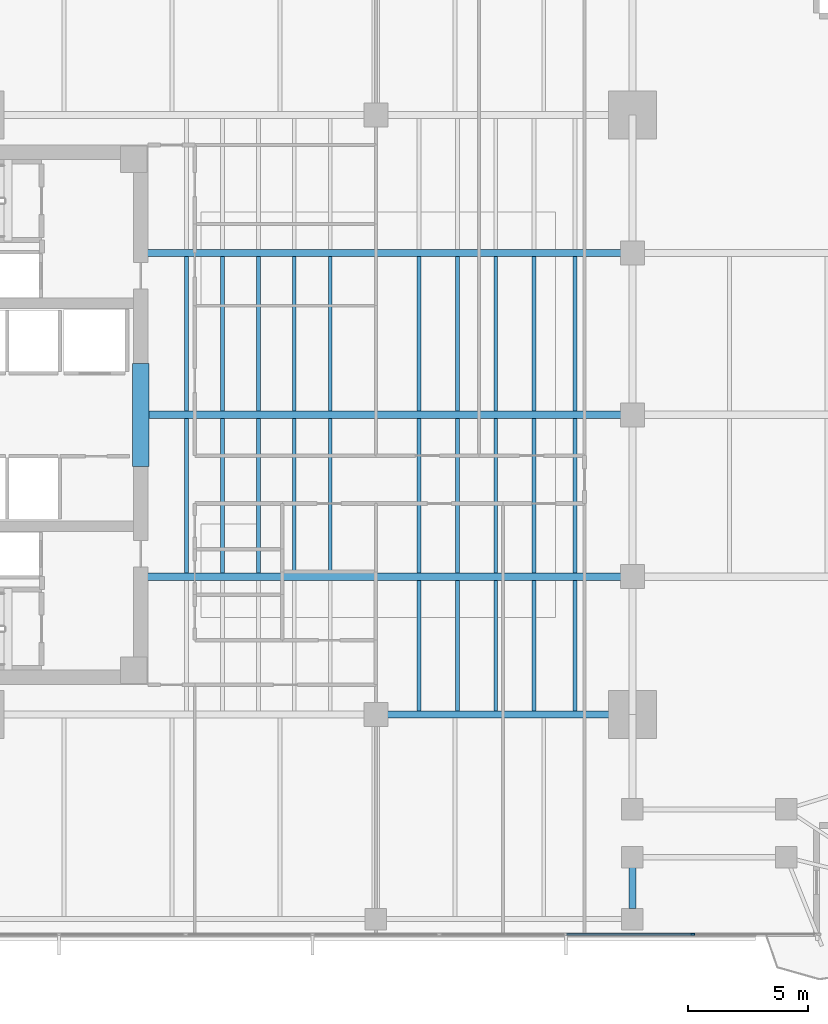
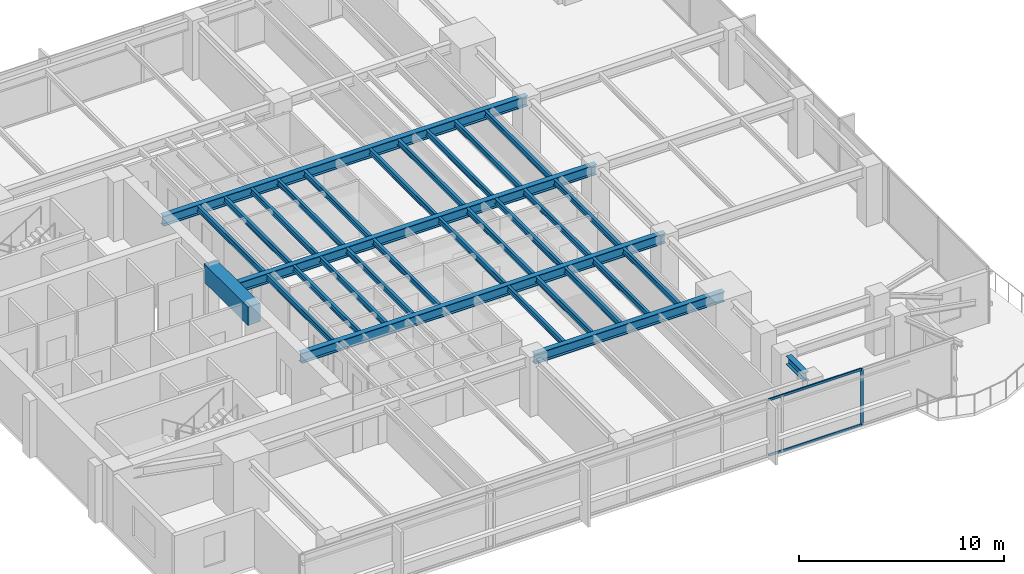
# One storey, part 3 of 14: 31 beams, 3 members, 1 element without a shape of its own.
"""IFC4 building model written with IfcOpenShell, lengths in metres."""

from ifc_helpers import new_model, si_unit, direction, frame, origin, origin_2d, place, context, subcontext, project, spatial, rectangle, i_section, extrude, material, layer, layer_set, material_profile, profile_set, type_object, element, aggregate, save


model = new_model("IFC4")

# Units and contexts
model_context = context("Model", 3, precision=1e-05, world=origin(), true_north=direction((0.0, 1.0)))
body_context = subcontext(model_context, "Body", "Model", "MODEL_VIEW")
ifc_project = project(units=[si_unit("LENGTHUNIT", "METRE"), si_unit("AREAUNIT", "SQUARE_METRE"), si_unit("VOLUMEUNIT", "CUBIC_METRE"), si_unit("PLANEANGLEUNIT", "RADIAN"), si_unit("MASSUNIT", "GRAM", prefix="KILO")], contexts=[model_context])

# Site, building, storey
site_placement = place(None, origin())
site = spatial("IfcSite", under=ifc_project, at=site_placement, CompositionType="ELEMENT")
building_placement = place(site_placement, origin())
building = spatial("IfcBuilding", under=site, at=building_placement, Name="Kinhvarn Gate Tower", CompositionType="ELEMENT")
storey_placement = place(building_placement, frame((0.0, 0.0, 130.64990234375)))
storey = spatial("IfcBuildingStorey", under=building, at=storey_placement, Name="L34", CompositionType="ELEMENT", Elevation=130.64990234375)

# Beam
ifc_material_1 = material(Name="Concrete C70/85", Category="concrete")
ifc_material_profile_1 = material_profile(ifc_material_1, rectangle(XDim=0.699951171875, YDim=1.10009765625, at=origin_2d()), Name="RC 700x1100")
ifc_profile_set_1 = profile_set([ifc_material_profile_1], Name="Concrete C70/85")
beam_type_1 = type_object("IfcBeamType", Name="BM-CB-1100", PredefinedType="LINTEL", material=ifc_profile_set_1)
beam_1_placement = place(storey_placement, frame((17.699951171875, 23.10009765625, 2.820068359375), z_axis=(0.0, 1.0, 0.0), x_axis=(-1.0, 0.0, 0.0)))
element("IfcBeam", 1, at=beam_1_placement, inside=storey, type_object=beam_type_1, Name="Core East Portal Coupling Beam L34", PredefinedType="LINTEL", context=body_context, shape_type="SweptSolid", body=[
    extrude(rectangle(XDim=0.699951171875, YDim=1.10009765625, at=origin_2d()), origin(), (0.0, 0.0, 1.0), 4.2998046875),
])

# Curtain wall, members
ifc_material_2 = material(Name="Anodised aluminium AW-6063", Category="aluminium")
ifc_layer = layer(ifc_material_2, 0.179931640625)
ifc_layer_set = layer_set([ifc_layer], Name="Anodised aluminium AW-6063")
curtain_wall_type = type_object("IfcCurtainWallType", Name="CW-SYS-3", PredefinedType="NOTDEFINED", material=ifc_layer_set)
curtain_wall_placement = place(storey_placement, origin())
curtain_wall = element("IfcCurtainWall", 2, at=curtain_wall_placement, inside=storey, type_object=curtain_wall_type, Name="Curtain Wall CW3 (L34)", PredefinedType="NOTDEFINED")
ifc_material_profile_2 = material_profile(ifc_material_2, rectangle(XDim=0.06494140625, YDim=0.159912109375, at=origin_2d()), Name="ALU 65x160")
ifc_profile_set_2 = profile_set([ifc_material_profile_2], Name="Anodised aluminium AW-6063")
member_type_1 = type_object("IfcMemberType", Name="CW-MUL-160", PredefinedType="MULLION", material=ifc_profile_set_2)
member_1_placement = place(storey_placement, frame((40.71435546875, 3.590087890625, 0.0), z_axis=(0.0, 0.0, 1.0), x_axis=(0.0, 1.0, 0.0)))
member_1 = element("IfcMember", 3, at=member_1_placement, type_object=member_type_1, Name="CW3 mullion 7", PredefinedType="MULLION", context=body_context, shape_type="SweptSolid", body=[
    extrude(rectangle(XDim=0.06494140625, YDim=0.159912109375, at=origin_2d()), origin(), (0.0, 0.0, 1.0), 3.3701171875),
])
ifc_material_profile_3 = material_profile(ifc_material_2, rectangle(XDim=0.070068359375, YDim=0.139892578125, at=origin_2d()), Name="ALU 70x140")
ifc_profile_set_3 = profile_set([ifc_material_profile_3], Name="Anodised aluminium AW-6063")
member_type_2 = type_object("IfcMemberType", Name="CW-TRN-140", PredefinedType="USERDEFINED", material=ifc_profile_set_3)
member_2_placement = place(storey_placement, frame((35.461181640625, 3.590087890625, 0.03515625), z_axis=(1.0, 0.0, 0.0), x_axis=(0.0, 1.0, 0.0)))
member_2 = element("IfcMember", 4, at=member_2_placement, type_object=member_type_2, Name="CW3 transom 6.1", ObjectType="TRANSOM", PredefinedType="USERDEFINED", context=body_context, shape_type="SweptSolid", body=[
    extrude(rectangle(XDim=0.070068359375, YDim=0.139892578125, at=origin_2d()), origin(), (0.0, 0.0, 1.0), 5.220703125),
])
member_3_placement = place(storey_placement, frame((35.461181640625, 3.590087890625, 3.335205078125), z_axis=(1.0, 0.0, 0.0), x_axis=(0.0, 1.0, 0.0)))
member_3 = element("IfcMember", 5, at=member_3_placement, type_object=member_type_2, Name="CW3 transom 6.2", ObjectType="TRANSOM", PredefinedType="USERDEFINED", context=body_context, shape_type="SweptSolid", body=[
    extrude(rectangle(XDim=0.070068359375, YDim=0.139892578125, at=origin_2d()), origin(), (0.0, 0.0, 1.0), 5.220703125),
])
aggregate(curtain_wall, [member_1, member_2, member_3])

# Beams
ifc_material_3 = material(Name="Steel S355", Category="steel")
ifc_material_profile_4 = material_profile(ifc_material_3, i_section(OverallWidth=0.300048828125, OverallDepth=0.5, WebThickness=0.014404296875, FlangeThickness=0.028076171875, at=origin_2d()), Name="HEB 500")
ifc_profile_set_4 = profile_set([ifc_material_profile_4], Name="Steel S355")
beam_type_2 = type_object("IfcBeamType", Name="STL-HEB500", PredefinedType="BEAM", material=ifc_profile_set_4)
beam_2_placement = place(storey_placement, frame((38.199951171875, 4.655029296875, 3.1201171875), z_axis=(0.0, 1.0, 0.0), x_axis=(-1.0, 0.0, 0.0)))
element("IfcBeam", 6, at=beam_2_placement, inside=storey, type_object=beam_type_2, Name="Floor Beam PG-14 (L34 MCE-S-A0)", PredefinedType="BEAM", context=body_context, shape_type="SweptSolid", body=[
    extrude(i_section(OverallWidth=0.300048828125, OverallDepth=0.5, WebThickness=0.014404296875, FlangeThickness=0.028076171875, at=origin_2d()), origin(), (0.0, 0.0, 1.0), 1.7099609375),
])
ifc_material_profile_5 = material_profile(ifc_material_3, i_section(OverallWidth=0.300048828125, OverallDepth=0.60009765625, WebThickness=0.015380859375, FlangeThickness=0.030029296875, at=origin_2d()), Name="HEB 600")
ifc_profile_set_5 = profile_set([ifc_material_profile_5], Name="Steel S355")
beam_type_3 = type_object("IfcBeamType", Name="STL-HEB600", PredefinedType="BEAM", material=ifc_profile_set_5)
beam_3_placement = place(storey_placement, frame((27.5, 12.75, 3.070068359375), z_axis=(1.0, 0.0, 0.0), x_axis=(0.0, 1.0, 0.0)))
element("IfcBeam", 7, at=beam_3_placement, inside=storey, type_object=beam_type_3, Name="Floor Beam PG-16 (L34 MG-S2)", PredefinedType="BEAM", context=body_context, shape_type="SweptSolid", body=[
    extrude(i_section(OverallWidth=0.300048828125, OverallDepth=0.60009765625, WebThickness=0.015380859375, FlangeThickness=0.030029296875, at=origin_2d()), origin(), (0.0, 0.0, 1.0), 10.699951171875),
])
beam_4_placement = place(storey_placement, frame((17.64990234375, 18.5, 3.070068359375), z_axis=(1.0, 0.0, 0.0), x_axis=(0.0, 1.0, 0.0)))
element("IfcBeam", 8, at=beam_4_placement, inside=storey, type_object=beam_type_3, Name="Floor Beam PG-16 (L34 EW1-Y18)", PredefinedType="BEAM", context=body_context, shape_type="SweptSolid", body=[
    extrude(i_section(OverallWidth=0.300048828125, OverallDepth=0.60009765625, WebThickness=0.015380859375, FlangeThickness=0.030029296875, at=origin_2d()), origin(), (0.0, 0.0, 1.0), 20.550048828125),
])
beam_5_placement = place(storey_placement, frame((18.050048828125, 25.25, 3.070068359375), z_axis=(1.0, 0.0, 0.0), x_axis=(0.0, 1.0, 0.0)))
element("IfcBeam", 9, at=beam_5_placement, inside=storey, type_object=beam_type_3, Name="Floor Beam PG-16 (L34 EW1-Y25)", PredefinedType="BEAM", context=body_context, shape_type="SweptSolid", body=[
    extrude(i_section(OverallWidth=0.300048828125, OverallDepth=0.60009765625, WebThickness=0.015380859375, FlangeThickness=0.030029296875, at=origin_2d()), origin(), (0.0, 0.0, 1.0), 20.14990234375),
])
beam_6_placement = place(storey_placement, frame((17.64990234375, 32.0, 3.070068359375), z_axis=(1.0, 0.0, 0.0), x_axis=(0.0, 1.0, 0.0)))
element("IfcBeam", 10, at=beam_6_placement, inside=storey, type_object=beam_type_3, Name="Floor Beam PG-16 (L34 EW1-Y32)", PredefinedType="BEAM", context=body_context, shape_type="SweptSolid", body=[
    extrude(i_section(OverallWidth=0.300048828125, OverallDepth=0.60009765625, WebThickness=0.015380859375, FlangeThickness=0.030029296875, at=origin_2d()), origin(), (0.0, 0.0, 1.0), 20.550048828125),
])
ifc_material_profile_6 = material_profile(ifc_material_3, i_section(OverallWidth=0.159912109375, OverallDepth=0.330078125, WebThickness=0.007568359375, FlangeThickness=0.011474609375, at=origin_2d()), Name="IPE 330")
ifc_profile_set_6 = profile_set([ifc_material_profile_6], Name="Steel S355")
beam_type_4 = type_object("IfcBeamType", Name="STL-IPE330", PredefinedType="JOIST", material=ifc_profile_set_6)
for number, where, z_axis, x_axis, name in (
    (11, (19.60009765625, 18.64990234375, 3.205078125), (0.0, 1.0, 0.0), (-1.0, 0.0, 0.0), "Floor Joist SB-03 (L34 JC-X196-1)"),
    (12, (19.60009765625, 25.39990234375, 3.205078125), (0.0, 1.0, 0.0), (-1.0, 0.0, 0.0), "Floor Joist SB-03 (L34 JC-X196-2)"),
    (13, (21.10009765625, 18.64990234375, 3.205078125), (0.0, 1.0, 0.0), (-1.0, 0.0, 0.0), "Floor Joist SB-03 (L34 JC-X211-1)"),
    (14, (21.10009765625, 25.39990234375, 3.205078125), (0.0, 1.0, 0.0), (-1.0, 0.0, 0.0), "Floor Joist SB-03 (L34 JC-X211-2)"),
    (15, (22.60009765625, 18.64990234375, 3.205078125), (0.0, 1.0, 0.0), (-1.0, 0.0, 0.0), "Floor Joist SB-03 (L34 JC-X226-1)"),
    (16, (22.60009765625, 25.39990234375, 3.205078125), (0.0, 1.0, 0.0), (-1.0, 0.0, 0.0), "Floor Joist SB-03 (L34 JC-X226-2)"),
    (17, (24.10009765625, 18.64990234375, 3.205078125), (0.0, 1.0, 0.0), (-1.0, 0.0, 0.0), "Floor Joist SB-03 (L34 JC-X241-1)"),
    (18, (24.10009765625, 25.39990234375, 3.205078125), (0.0, 1.0, 0.0), (-1.0, 0.0, 0.0), "Floor Joist SB-03 (L34 JC-X241-2)"),
    (19, (25.60009765625, 18.64990234375, 3.205078125), (0.0, 1.0, 0.0), (-1.0, 0.0, 0.0), "Floor Joist SB-03 (L34 JC-X256-1)"),
    (20, (25.60009765625, 25.39990234375, 3.205078125), (0.0, 1.0, 0.0), (-1.0, 0.0, 0.0), "Floor Joist SB-03 (L34 JC-X256-2)"),
):
    element("IfcBeam", number, at=place(storey_placement, frame(where, z_axis=z_axis, x_axis=x_axis)), inside=storey, type_object=beam_type_4, Name=name, PredefinedType="JOIST", context=body_context, shape_type="SweptSolid", body=[
        extrude(i_section(OverallWidth=0.159912109375, OverallDepth=0.330078125, WebThickness=0.007568359375, FlangeThickness=0.011474609375, at=origin_2d()), origin(), (0.0, 0.0, 1.0), 6.4501953125),
    ])
beam_7_placement = place(storey_placement, frame((29.300048828125, 12.89990234375, 3.205078125), z_axis=(0.0, 1.0, 0.0), x_axis=(-1.0, 0.0, 0.0)))
element("IfcBeam", 21, at=beam_7_placement, inside=storey, type_object=beam_type_4, Name="Floor Joist SB-03 (L34 JC-X293-0)", PredefinedType="JOIST", context=body_context, shape_type="SweptSolid", body=[
    extrude(i_section(OverallWidth=0.159912109375, OverallDepth=0.330078125, WebThickness=0.007568359375, FlangeThickness=0.011474609375, at=origin_2d()), origin(), (0.0, 0.0, 1.0), 5.4501953125),
])
for number, where, z_axis, x_axis, name in (
    (22, (29.300048828125, 18.64990234375, 3.205078125), (0.0, 1.0, 0.0), (-1.0, 0.0, 0.0), "Floor Joist SB-03 (L34 JC-X293-1)"),
    (23, (29.300048828125, 25.39990234375, 3.205078125), (0.0, 1.0, 0.0), (-1.0, 0.0, 0.0), "Floor Joist SB-03 (L34 JC-X293-2)"),
):
    element("IfcBeam", number, at=place(storey_placement, frame(where, z_axis=z_axis, x_axis=x_axis)), inside=storey, type_object=beam_type_4, Name=name, PredefinedType="JOIST", context=body_context, shape_type="SweptSolid", body=[
        extrude(i_section(OverallWidth=0.159912109375, OverallDepth=0.330078125, WebThickness=0.007568359375, FlangeThickness=0.011474609375, at=origin_2d()), origin(), (0.0, 0.0, 1.0), 6.4501953125),
    ])
beam_8_placement = place(storey_placement, frame((30.89990234375, 12.89990234375, 3.205078125), z_axis=(0.0, 1.0, 0.0), x_axis=(-1.0, 0.0, 0.0)))
element("IfcBeam", 24, at=beam_8_placement, inside=storey, type_object=beam_type_4, Name="Floor Joist SB-03 (L34 JC-X309-0)", PredefinedType="JOIST", context=body_context, shape_type="SweptSolid", body=[
    extrude(i_section(OverallWidth=0.159912109375, OverallDepth=0.330078125, WebThickness=0.007568359375, FlangeThickness=0.011474609375, at=origin_2d()), origin(), (0.0, 0.0, 1.0), 5.4501953125),
])
for number, where, z_axis, x_axis, name in (
    (25, (30.89990234375, 18.64990234375, 3.205078125), (0.0, 1.0, 0.0), (-1.0, 0.0, 0.0), "Floor Joist SB-03 (L34 JC-X309-1)"),
    (26, (30.89990234375, 25.39990234375, 3.205078125), (0.0, 1.0, 0.0), (-1.0, 0.0, 0.0), "Floor Joist SB-03 (L34 JC-X309-2)"),
):
    element("IfcBeam", number, at=place(storey_placement, frame(where, z_axis=z_axis, x_axis=x_axis)), inside=storey, type_object=beam_type_4, Name=name, PredefinedType="JOIST", context=body_context, shape_type="SweptSolid", body=[
        extrude(i_section(OverallWidth=0.159912109375, OverallDepth=0.330078125, WebThickness=0.007568359375, FlangeThickness=0.011474609375, at=origin_2d()), origin(), (0.0, 0.0, 1.0), 6.4501953125),
    ])
beam_9_placement = place(storey_placement, frame((32.5, 12.89990234375, 3.205078125), z_axis=(0.0, 1.0, 0.0), x_axis=(-1.0, 0.0, 0.0)))
element("IfcBeam", 27, at=beam_9_placement, inside=storey, type_object=beam_type_4, Name="Floor Joist SB-03 (L34 JC-X325-0)", PredefinedType="JOIST", context=body_context, shape_type="SweptSolid", body=[
    extrude(i_section(OverallWidth=0.159912109375, OverallDepth=0.330078125, WebThickness=0.007568359375, FlangeThickness=0.011474609375, at=origin_2d()), origin(), (0.0, 0.0, 1.0), 5.4501953125),
])
for number, where, z_axis, x_axis, name in (
    (28, (32.5, 18.64990234375, 3.205078125), (0.0, 1.0, 0.0), (-1.0, 0.0, 0.0), "Floor Joist SB-03 (L34 JC-X325-1)"),
    (29, (32.5, 25.39990234375, 3.205078125), (0.0, 1.0, 0.0), (-1.0, 0.0, 0.0), "Floor Joist SB-03 (L34 JC-X325-2)"),
):
    element("IfcBeam", number, at=place(storey_placement, frame(where, z_axis=z_axis, x_axis=x_axis)), inside=storey, type_object=beam_type_4, Name=name, PredefinedType="JOIST", context=body_context, shape_type="SweptSolid", body=[
        extrude(i_section(OverallWidth=0.159912109375, OverallDepth=0.330078125, WebThickness=0.007568359375, FlangeThickness=0.011474609375, at=origin_2d()), origin(), (0.0, 0.0, 1.0), 6.4501953125),
    ])
beam_10_placement = place(storey_placement, frame((34.10009765625, 12.89990234375, 3.205078125), z_axis=(0.0, 1.0, 0.0), x_axis=(-1.0, 0.0, 0.0)))
element("IfcBeam", 30, at=beam_10_placement, inside=storey, type_object=beam_type_4, Name="Floor Joist SB-03 (L34 JC-X341-0)", PredefinedType="JOIST", context=body_context, shape_type="SweptSolid", body=[
    extrude(i_section(OverallWidth=0.159912109375, OverallDepth=0.330078125, WebThickness=0.007568359375, FlangeThickness=0.011474609375, at=origin_2d()), origin(), (0.0, 0.0, 1.0), 5.4501953125),
])
for number, where, z_axis, x_axis, name in (
    (31, (34.10009765625, 18.64990234375, 3.205078125), (0.0, 1.0, 0.0), (-1.0, 0.0, 0.0), "Floor Joist SB-03 (L34 JC-X341-1)"),
    (32, (34.10009765625, 25.39990234375, 3.205078125), (0.0, 1.0, 0.0), (-1.0, 0.0, 0.0), "Floor Joist SB-03 (L34 JC-X341-2)"),
):
    element("IfcBeam", number, at=place(storey_placement, frame(where, z_axis=z_axis, x_axis=x_axis)), inside=storey, type_object=beam_type_4, Name=name, PredefinedType="JOIST", context=body_context, shape_type="SweptSolid", body=[
        extrude(i_section(OverallWidth=0.159912109375, OverallDepth=0.330078125, WebThickness=0.007568359375, FlangeThickness=0.011474609375, at=origin_2d()), origin(), (0.0, 0.0, 1.0), 6.4501953125),
    ])
beam_11_placement = place(storey_placement, frame((35.800048828125, 12.89990234375, 3.205078125), z_axis=(0.0, 1.0, 0.0), x_axis=(-1.0, 0.0, 0.0)))
element("IfcBeam", 33, at=beam_11_placement, inside=storey, type_object=beam_type_4, Name="Floor Joist SB-03 (L34 JC-X358-0)", PredefinedType="JOIST", context=body_context, shape_type="SweptSolid", body=[
    extrude(i_section(OverallWidth=0.159912109375, OverallDepth=0.330078125, WebThickness=0.007568359375, FlangeThickness=0.011474609375, at=origin_2d()), origin(), (0.0, 0.0, 1.0), 5.4501953125),
])
for number, where, z_axis, x_axis, name in (
    (34, (35.800048828125, 18.64990234375, 3.205078125), (0.0, 1.0, 0.0), (-1.0, 0.0, 0.0), "Floor Joist SB-03 (L34 JC-X358-1)"),
    (35, (35.800048828125, 25.39990234375, 3.205078125), (0.0, 1.0, 0.0), (-1.0, 0.0, 0.0), "Floor Joist SB-03 (L34 JC-X358-2)"),
):
    element("IfcBeam", number, at=place(storey_placement, frame(where, z_axis=z_axis, x_axis=x_axis)), inside=storey, type_object=beam_type_4, Name=name, PredefinedType="JOIST", context=body_context, shape_type="SweptSolid", body=[
        extrude(i_section(OverallWidth=0.159912109375, OverallDepth=0.330078125, WebThickness=0.007568359375, FlangeThickness=0.011474609375, at=origin_2d()), origin(), (0.0, 0.0, 1.0), 6.4501953125),
    ])

save(model, "model.ifc")
